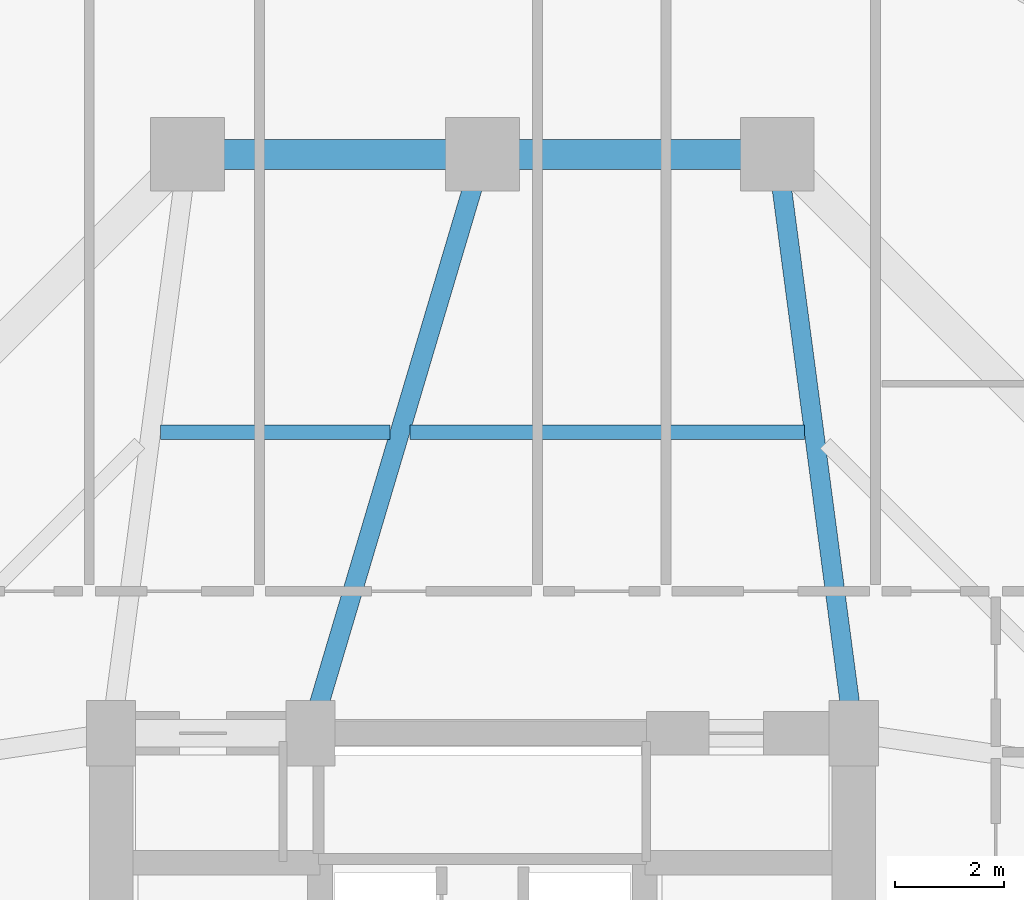
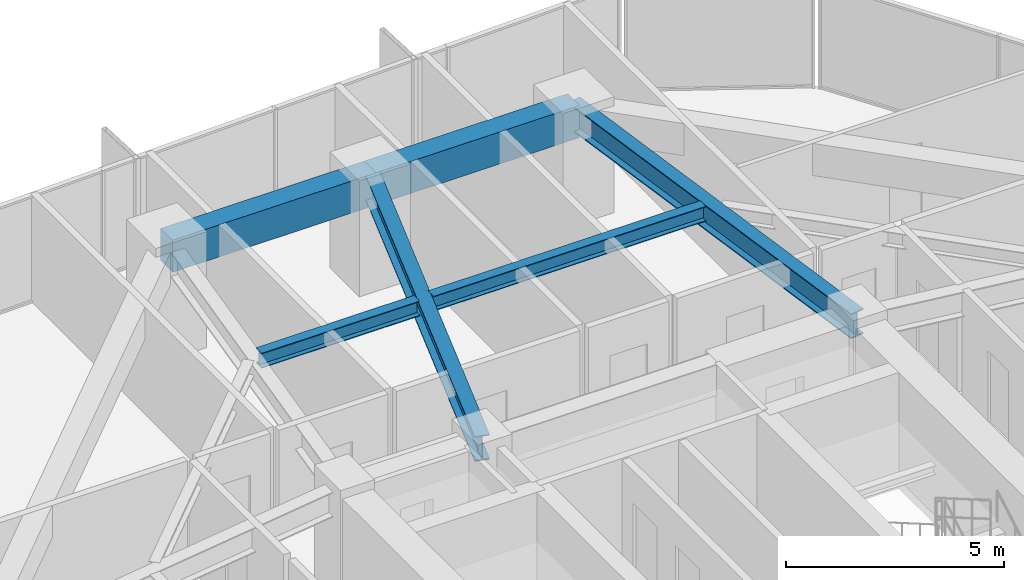
# One storey, part 26 of 39: 6 beams.
"""IFC4 building model written with IfcOpenShell, lengths in metres."""

from ifc_helpers import new_model, si_unit, direction, frame, origin, origin_2d, place, context, subcontext, project, spatial, rectangle, i_section, extrude, material, material_profile, profile_set, type_object, element, save


model = new_model("IFC4")

# Units and contexts
model_context = context("Model", 3, precision=1e-05, world=origin(), true_north=direction((0.0, 1.0)))
body_context = subcontext(model_context, "Body", "Model", "MODEL_VIEW")
ifc_project = project(units=[si_unit("LENGTHUNIT", "METRE"), si_unit("AREAUNIT", "SQUARE_METRE"), si_unit("VOLUMEUNIT", "CUBIC_METRE"), si_unit("PLANEANGLEUNIT", "RADIAN"), si_unit("MASSUNIT", "GRAM", prefix="KILO")], contexts=[model_context])

# Site, building, storey
site_placement = place(None, origin())
site = spatial("IfcSite", under=ifc_project, at=site_placement, CompositionType="ELEMENT")
building_placement = place(site_placement, origin())
building = spatial("IfcBuilding", under=site, at=building_placement, Name="Veraguas Prism Commons", CompositionType="ELEMENT")
storey_placement = place(building_placement, frame((0.0, 0.0, 30.550048828125)))
storey = spatial("IfcBuildingStorey", under=building, at=storey_placement, Name="L07", CompositionType="ELEMENT", Elevation=30.550048828125)

# Beams
ifc_material_1 = material(Name="Steel ASTM A992 Grade 50", Category="steel")
ifc_material_profile_1 = material_profile(ifc_material_1, i_section(OverallWidth=0.260986328125, OverallDepth=0.419921875, WebThickness=0.01171875, FlangeThickness=0.019287109375, at=origin_2d()), Name="W410X114")
ifc_profile_set_1 = profile_set([ifc_material_profile_1], Name="Steel ASTM A992 Grade 50")
beam_type_1 = type_object("IfcBeamType", Name="Lower Floor Joist W410x114", PredefinedType="JOIST", material=ifc_profile_set_1)
beam_1_placement = place(storey_placement, frame((29.89453125, 36.511962890625, 2.7900390625), z_axis=(-1.0, 0.0, 0.0), x_axis=(0.0, -1.0, 0.0)))
element("IfcBeam", 1, at=beam_1_placement, inside=storey, type_object=beam_type_1, Name="Composite Floor Joist L07-JS04", PredefinedType="JOIST", context=body_context, shape_type="SweptSolid", body=[
    extrude(i_section(OverallWidth=0.260986328125, OverallDepth=0.419921875, WebThickness=0.01171875, FlangeThickness=0.019287109375, at=origin_2d()), origin(), (0.0, 0.0, 1.0), 7.222900390625),
])
beam_2_placement = place(storey_placement, frame((22.304443359375, 36.511962890625, 2.7900390625), z_axis=(-1.0, 0.0, 0.0), x_axis=(0.0, -1.0, 0.0)))
element("IfcBeam", 2, at=beam_2_placement, inside=storey, type_object=beam_type_1, Name="Composite Floor Joist L07-JS05", PredefinedType="JOIST", context=body_context, shape_type="SweptSolid", body=[
    extrude(i_section(OverallWidth=0.260986328125, OverallDepth=0.419921875, WebThickness=0.01171875, FlangeThickness=0.019287109375, at=origin_2d()), origin(), (0.0, 0.0, 1.0), 4.198974609375),
])
ifc_material_2 = material(Name="Concrete C50/60", Category="concrete")
ifc_material_profile_2 = material_profile(ifc_material_2, rectangle(XDim=0.550048828125, YDim=0.89990234375, at=origin_2d()), Name="RC550X900")
ifc_profile_set_2 = profile_set([ifc_material_profile_2], Name="Concrete C50/60")
beam_type_2 = type_object("IfcBeamType", Name="Perimeter Spandrel Lower RC 550x900", PredefinedType="SPANDREL", material=ifc_profile_set_2)
for number, where, z_axis, x_axis, name in (
    (3, (29.39990234375, 41.60009765625, 2.550048828125), (-1.0, 0.0, 0.0), (0.0, -1.0, 0.0), "Perimeter Spandrel Beam L07-SP04"),
    (4, (24.0, 41.60009765625, 2.550048828125), (-1.0, 0.0, 0.0), (0.0, -1.0, 0.0), "Perimeter Spandrel Beam L07-SP05"),
):
    element("IfcBeam", number, at=place(storey_placement, frame(where, z_axis=z_axis, x_axis=x_axis)), inside=storey, type_object=beam_type_2, Name=name, PredefinedType="SPANDREL", context=body_context, shape_type="SweptSolid", body=[
        extrude(rectangle(XDim=0.550048828125, YDim=0.89990234375, at=origin_2d()), origin(), (0.0, 0.0, 1.0), 5.39990234375),
    ])
ifc_material_profile_3 = material_profile(ifc_material_1, i_section(OverallWidth=0.35595703125, OverallDepth=0.700927734375, WebThickness=0.016845703125, FlangeThickness=0.02734375, at=origin_2d()), Name="W690X240")
ifc_profile_set_3 = profile_set([ifc_material_profile_3], Name="Steel ASTM A992 Grade 50")
beam_type_3 = type_object("IfcBeamType", Name="Zone 1 Radial Girder W690x240", PredefinedType="BEAM", material=ifc_profile_set_3)
beam_3_placement = place(storey_placement, frame((29.39990234375, 41.60009765625, 2.6494140625), z_axis=(0.130950648891, -0.991388888154, 0.0), x_axis=(0.991388888154, 0.130950648891, 0.0)))
element("IfcBeam", 5, at=beam_3_placement, inside=storey, type_object=beam_type_3, Name="Radial Floor Girder L07-RD04", PredefinedType="BEAM", context=body_context, shape_type="SweptSolid", body=[
    extrude(i_section(OverallWidth=0.35595703125, OverallDepth=0.700927734375, WebThickness=0.016845703125, FlangeThickness=0.02734375, at=origin_2d()), origin(), (0.0, 0.0, 1.0), 10.692138671875),
])
beam_4_placement = place(storey_placement, frame((24.0, 41.60009765625, 2.6494140625), z_axis=(-0.28484745997, -0.958572858237, 0.0), x_axis=(0.958572858237, -0.28484745997, 0.0)))
element("IfcBeam", 6, at=beam_4_placement, inside=storey, type_object=beam_type_3, Name="Radial Floor Girder L07-RD05", PredefinedType="BEAM", context=body_context, shape_type="SweptSolid", body=[
    extrude(i_section(OverallWidth=0.35595703125, OverallDepth=0.700927734375, WebThickness=0.016845703125, FlangeThickness=0.02734375, at=origin_2d()), origin(), (0.0, 0.0, 1.0), 11.05810546875),
])

save(model, "model.ifc")
